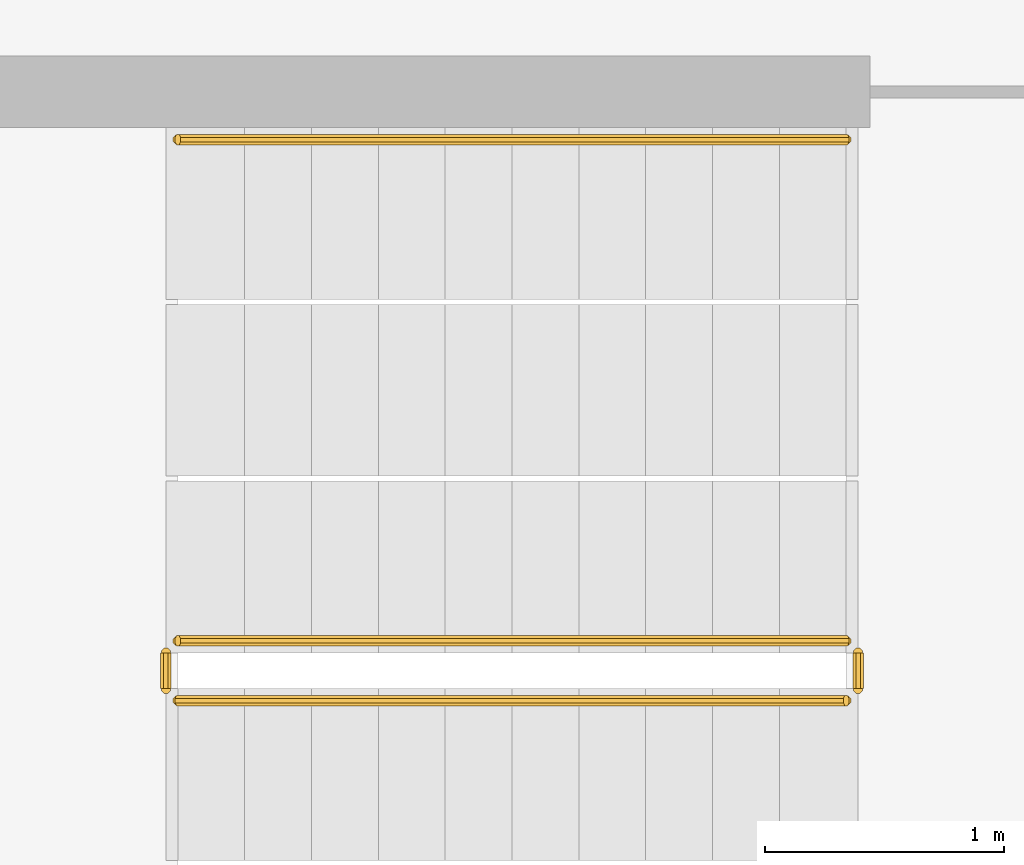
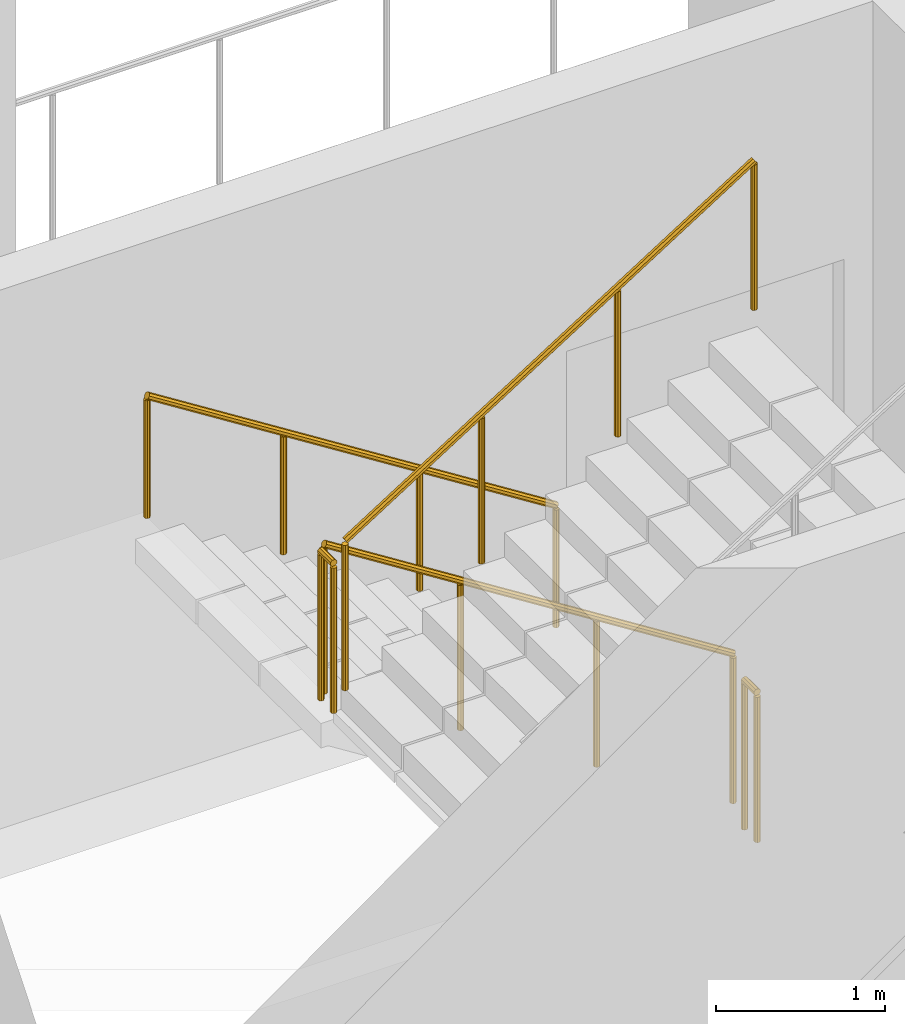
# One storey, part 19 of 25: 5 railings.
"""IFC4 building model written with IfcOpenShell, lengths in metres."""

from ifc_helpers import new_model, si_unit, direction, frame, origin, place, context, subcontext, project, spatial, polyline, outline, extrude, material, type_object, element, save


model = new_model("IFC4")

# Units and contexts
model_context = context("Model", 3, precision=1e-05, world=origin(), true_north=direction((0.0, 1.0)))
body_context = subcontext(model_context, "Body", "Model", "MODEL_VIEW")
ifc_project = project(units=[si_unit("LENGTHUNIT", "METRE"), si_unit("AREAUNIT", "SQUARE_METRE"), si_unit("VOLUMEUNIT", "CUBIC_METRE"), si_unit("PLANEANGLEUNIT", "RADIAN"), si_unit("MASSUNIT", "GRAM", prefix="KILO")], contexts=[model_context])

# Site, building, storey
site_placement = place(None, origin())
site = spatial("IfcSite", under=ifc_project, at=site_placement, CompositionType="ELEMENT")
building_placement = place(site_placement, origin())
building = spatial("IfcBuilding", under=site, at=building_placement, Name="Cormorant Relay Tower", CompositionType="ELEMENT")
storey_placement = place(building_placement, frame((0.0, 0.0, 281.39990234375)))
storey = spatial("IfcBuildingStorey", under=building, at=storey_placement, Name="L63", CompositionType="ELEMENT", Elevation=281.39990234375)

# Railings
ifc_material_1 = material(Name="Steel ASTM A572 Grade 50 (Fy 345 MPa)", Category="steel")
railing_type_1 = type_object("IfcRailingType", Name="Stair guard 1100", PredefinedType="GUARDRAIL", material=ifc_material_1)
railing_1_placement = place(storey_placement, frame((1.60009765625, -18.27490234375, 0.177490234375)))
element("IfcRailing", 1, at=railing_1_placement, inside=storey, type_object=railing_type_1, Name="L63 RK1 stair guard 1", PredefinedType="GUARDRAIL", context=body_context, shape_type="SweptSolid", body=[
    extrude(outline(polyline([(0.022216796875, 0.00927734375), (0.00927734375, 0.022216796875), (-0.00927734375, 0.022216796875), (-0.022216796875, 0.00927734375), (-0.022216796875, -0.00927734375), (-0.00927734375, -0.022216796875), (0.00927734375, -0.022216796875), (0.022216796875, -0.00927734375), (0.022216796875, 0.00927734375)])), frame((0.0, 0.0, 1.076171875), z_axis=(-0.844908973607, 0.0, 0.534910110503), x_axis=(0.0, -1.0, 0.0)), (0.0, 0.0, 1.0), 3.31396484375),
    extrude(outline(polyline([(0.019287109375, 0.008056640625), (0.008056640625, 0.019287109375), (-0.008056640625, 0.019287109375), (-0.019287109375, 0.008056640625), (-0.019287109375, -0.008056640625), (-0.008056640625, -0.019287109375), (0.008056640625, -0.019287109375), (0.019287109375, -0.008056640625), (0.019287109375, 0.008056640625)])), origin(), (0.0, 0.0, 1.0), 1.052001953125),
    extrude(outline(polyline([(0.019287109375, 0.008056640625), (0.008056640625, 0.019287109375), (-0.008056640625, 0.019287109375), (-0.019287109375, 0.008056640625), (-0.019287109375, -0.008056640625), (-0.008056640625, -0.019287109375), (0.008056640625, -0.019287109375), (0.019287109375, -0.008056640625), (0.019287109375, 0.008056640625)])), frame((-0.933349609375, 0.0, 0.5908203125)), (0.0, 0.0, 1.0), 1.052001953125),
    extrude(outline(polyline([(0.019287109375, 0.008056640625), (0.008056640625, 0.019287109375), (-0.008056640625, 0.019287109375), (-0.019287109375, 0.008056640625), (-0.019287109375, -0.008056640625), (-0.008056640625, -0.019287109375), (0.008056640625, -0.019287109375), (0.019287109375, -0.008056640625), (0.019287109375, 0.008056640625)])), frame((-1.86669921875, 0.0, 1.181884765625)), (0.0, 0.0, 1.0), 1.052001953125),
    extrude(outline(polyline([(0.019287109375, 0.008056640625), (0.008056640625, 0.019287109375), (-0.008056640625, 0.019287109375), (-0.019287109375, 0.008056640625), (-0.019287109375, -0.008056640625), (-0.008056640625, -0.019287109375), (0.008056640625, -0.019287109375), (0.019287109375, -0.008056640625), (0.019287109375, 0.008056640625)])), frame((-2.800048828125, 0.0, 1.772705078125)), (0.0, 0.0, 1.0), 1.052001953125),
])
railing_2_placement = place(storey_placement, frame((-1.25, -18.324951171875, 1.9501953125)))
element("IfcRailing", 2, at=railing_2_placement, inside=storey, type_object=railing_type_1, Name="L63 RK1 stair guard 2", PredefinedType="GUARDRAIL", context=body_context, shape_type="SweptSolid", body=[
    extrude(outline(polyline([(0.022216796875, 0.00927734375), (0.00927734375, 0.022216796875), (-0.00927734375, 0.022216796875), (-0.022216796875, 0.00927734375), (-0.022216796875, -0.00927734375), (-0.00927734375, -0.022216796875), (0.00927734375, -0.022216796875), (0.022216796875, -0.00927734375), (0.022216796875, 0.00927734375)])), frame((0.0, 0.0, 1.076171875), z_axis=(0.0, -1.0, 0.0), x_axis=(1.0, 0.0, 0.0)), (0.0, 0.0, 1.0), 0.150146484375),
    extrude(outline(polyline([(0.019287109375, 0.008056640625), (0.008056640625, 0.019287109375), (-0.008056640625, 0.019287109375), (-0.019287109375, 0.008056640625), (-0.019287109375, -0.008056640625), (-0.008056640625, -0.019287109375), (0.008056640625, -0.019287109375), (0.019287109375, -0.008056640625), (0.019287109375, 0.008056640625)])), origin(), (0.0, 0.0, 1.0), 1.052001953125),
    extrude(outline(polyline([(0.019287109375, 0.008056640625), (0.008056640625, 0.019287109375), (-0.008056640625, 0.019287109375), (-0.019287109375, 0.008056640625), (-0.019287109375, -0.008056640625), (-0.008056640625, -0.019287109375), (0.008056640625, -0.019287109375), (0.019287109375, -0.008056640625), (0.019287109375, 0.008056640625)])), frame((0.0, -0.150146484375, 0.0)), (0.0, 0.0, 1.0), 1.052001953125),
])
railing_3_placement = place(storey_placement, frame((-1.199951171875, -18.52490234375, 2.12744140625)))
element("IfcRailing", 3, at=railing_3_placement, inside=storey, type_object=railing_type_1, Name="L63 RK1 stair guard 3", PredefinedType="GUARDRAIL", context=body_context, shape_type="SweptSolid", body=[
    extrude(outline(polyline([(0.022216796875, 0.00927734375), (0.00927734375, 0.022216796875), (-0.00927734375, 0.022216796875), (-0.022216796875, 0.00927734375), (-0.022216796875, -0.00927734375), (-0.00927734375, -0.022216796875), (0.00927734375, -0.022216796875), (0.022216796875, -0.00927734375), (0.022216796875, 0.00927734375)])), frame((0.0, 0.0, 1.076171875), z_axis=(0.844908973607, 0.0, 0.534910110503), x_axis=(0.0, 1.0, 0.0)), (0.0, 0.0, 1.0), 3.31396484375),
    extrude(outline(polyline([(0.019287109375, 0.008056640625), (0.008056640625, 0.019287109375), (-0.008056640625, 0.019287109375), (-0.019287109375, 0.008056640625), (-0.019287109375, -0.008056640625), (-0.008056640625, -0.019287109375), (0.008056640625, -0.019287109375), (0.019287109375, -0.008056640625), (0.019287109375, 0.008056640625)])), origin(), (0.0, 0.0, 1.0), 1.052001953125),
    extrude(outline(polyline([(0.019287109375, 0.008056640625), (0.008056640625, 0.019287109375), (-0.008056640625, 0.019287109375), (-0.019287109375, 0.008056640625), (-0.019287109375, -0.008056640625), (-0.008056640625, -0.019287109375), (0.008056640625, -0.019287109375), (0.019287109375, -0.008056640625), (0.019287109375, 0.008056640625)])), frame((0.933349609375, 0.0, 0.5908203125)), (0.0, 0.0, 1.0), 1.052001953125),
    extrude(outline(polyline([(0.019287109375, 0.008056640625), (0.008056640625, 0.019287109375), (-0.008056640625, 0.019287109375), (-0.019287109375, 0.008056640625), (-0.019287109375, -0.008056640625), (-0.008056640625, -0.019287109375), (0.008056640625, -0.019287109375), (0.019287109375, -0.008056640625), (0.019287109375, 0.008056640625)])), frame((1.86669921875, 0.0, 1.181884765625)), (0.0, 0.0, 1.0), 1.052001953125),
    extrude(outline(polyline([(0.019287109375, 0.008056640625), (0.008056640625, 0.019287109375), (-0.008056640625, 0.019287109375), (-0.019287109375, 0.008056640625), (-0.019287109375, -0.008056640625), (-0.008056640625, -0.019287109375), (0.008056640625, -0.019287109375), (0.019287109375, -0.008056640625), (0.019287109375, 0.008056640625)])), frame((2.800048828125, 0.0, 1.772705078125)), (0.0, 0.0, 1.0), 1.052001953125),
])
railing_4_placement = place(storey_placement, frame((1.64990234375, -18.324951171875, 0.0)))
element("IfcRailing", 4, at=railing_4_placement, inside=storey, type_object=railing_type_1, Name="L63 RK1 stair guard 4", PredefinedType="GUARDRAIL", context=body_context, shape_type="SweptSolid", body=[
    extrude(outline(polyline([(0.022216796875, 0.00927734375), (0.00927734375, 0.022216796875), (-0.00927734375, 0.022216796875), (-0.022216796875, 0.00927734375), (-0.022216796875, -0.00927734375), (-0.00927734375, -0.022216796875), (0.00927734375, -0.022216796875), (0.022216796875, -0.00927734375), (0.022216796875, 0.00927734375)])), frame((0.0, 0.0, 1.076171875), z_axis=(0.0, -1.0, 0.0), x_axis=(1.0, 0.0, 0.0)), (0.0, 0.0, 1.0), 0.150146484375),
    extrude(outline(polyline([(0.019287109375, 0.008056640625), (0.008056640625, 0.019287109375), (-0.008056640625, 0.019287109375), (-0.019287109375, 0.008056640625), (-0.019287109375, -0.008056640625), (-0.008056640625, -0.019287109375), (0.008056640625, -0.019287109375), (0.019287109375, -0.008056640625), (0.019287109375, 0.008056640625)])), origin(), (0.0, 0.0, 1.0), 1.052001953125),
    extrude(outline(polyline([(0.019287109375, 0.008056640625), (0.008056640625, 0.019287109375), (-0.008056640625, 0.019287109375), (-0.019287109375, 0.008056640625), (-0.019287109375, -0.008056640625), (-0.008056640625, -0.019287109375), (0.008056640625, -0.019287109375), (0.019287109375, -0.008056640625), (0.019287109375, 0.008056640625)])), frame((0.0, -0.150146484375, 0.0)), (0.0, 0.0, 1.0), 1.052001953125),
])
ifc_material_2 = material(Name="Steel ASTM A572 Grade 50 (Fy 345 MPa)", Category="steel")
railing_type_2 = type_object("IfcRailingType", Name="Stair handrail 900", PredefinedType="HANDRAIL", material=ifc_material_2)
railing_5_placement = place(storey_placement, frame((1.60009765625, -16.175048828125, 0.177490234375)))
element("IfcRailing", 5, at=railing_5_placement, inside=storey, type_object=railing_type_2, Name="L63 RK1 stair handrail 1", PredefinedType="HANDRAIL", context=body_context, shape_type="SweptSolid", body=[
    extrude(outline(polyline([(0.022216796875, 0.00927734375), (0.00927734375, 0.022216796875), (-0.00927734375, 0.022216796875), (-0.022216796875, 0.00927734375), (-0.022216796875, -0.00927734375), (-0.00927734375, -0.022216796875), (0.00927734375, -0.022216796875), (0.022216796875, -0.00927734375), (0.022216796875, 0.00927734375)])), frame((0.0, 0.0, 0.8759765625), z_axis=(-0.844908973607, 0.0, 0.534910110503), x_axis=(0.0, -1.0, 0.0)), (0.0, 0.0, 1.0), 3.31396484375),
    extrude(outline(polyline([(0.019287109375, 0.008056640625), (0.008056640625, 0.019287109375), (-0.008056640625, 0.019287109375), (-0.019287109375, 0.008056640625), (-0.019287109375, -0.008056640625), (-0.008056640625, -0.019287109375), (0.008056640625, -0.019287109375), (0.019287109375, -0.008056640625), (0.019287109375, 0.008056640625)])), origin(), (0.0, 0.0, 1.0), 0.851806640625),
    extrude(outline(polyline([(0.019287109375, 0.008056640625), (0.008056640625, 0.019287109375), (-0.008056640625, 0.019287109375), (-0.019287109375, 0.008056640625), (-0.019287109375, -0.008056640625), (-0.008056640625, -0.019287109375), (0.008056640625, -0.019287109375), (0.019287109375, -0.008056640625), (0.019287109375, 0.008056640625)])), frame((-0.933349609375, 0.0, 0.5908203125)), (0.0, 0.0, 1.0), 0.851806640625),
    extrude(outline(polyline([(0.019287109375, 0.008056640625), (0.008056640625, 0.019287109375), (-0.008056640625, 0.019287109375), (-0.019287109375, 0.008056640625), (-0.019287109375, -0.008056640625), (-0.008056640625, -0.019287109375), (0.008056640625, -0.019287109375), (0.019287109375, -0.008056640625), (0.019287109375, 0.008056640625)])), frame((-1.86669921875, 0.0, 1.181884765625)), (0.0, 0.0, 1.0), 0.851806640625),
    extrude(outline(polyline([(0.019287109375, 0.008056640625), (0.008056640625, 0.019287109375), (-0.008056640625, 0.019287109375), (-0.019287109375, 0.008056640625), (-0.019287109375, -0.008056640625), (-0.008056640625, -0.019287109375), (0.008056640625, -0.019287109375), (0.019287109375, -0.008056640625), (0.019287109375, 0.008056640625)])), frame((-2.800048828125, 0.0, 1.772705078125)), (0.0, 0.0, 1.0), 0.851806640625),
])

save(model, "model.ifc")
